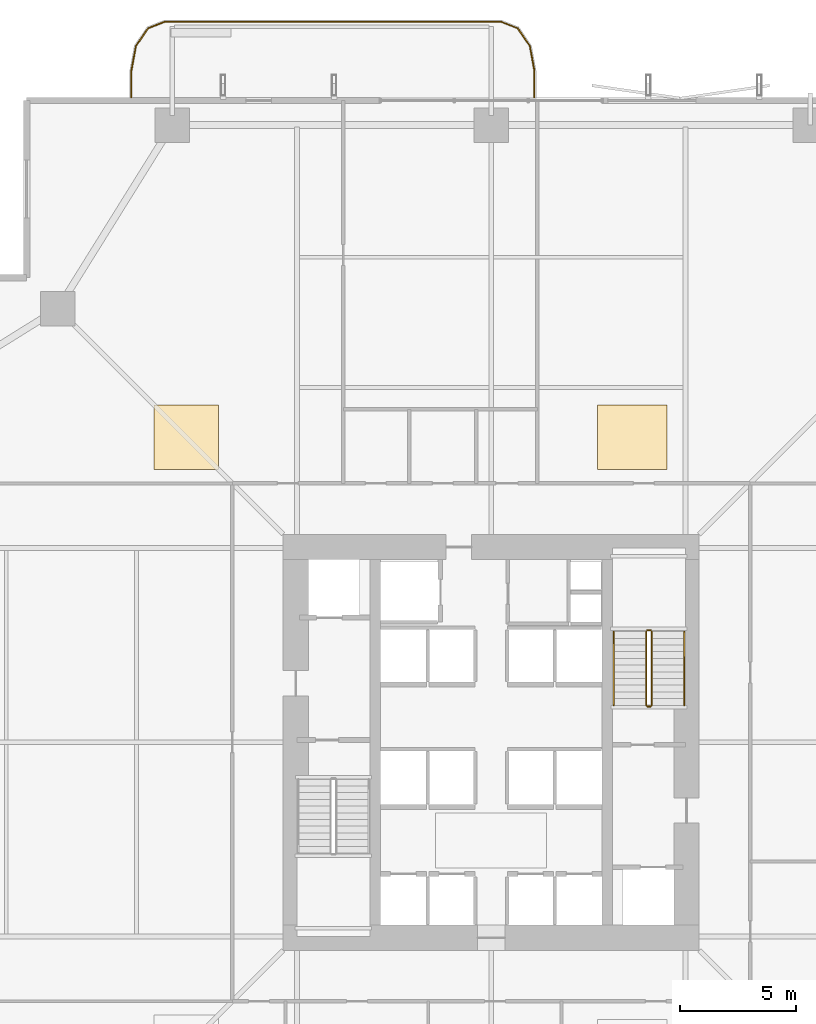
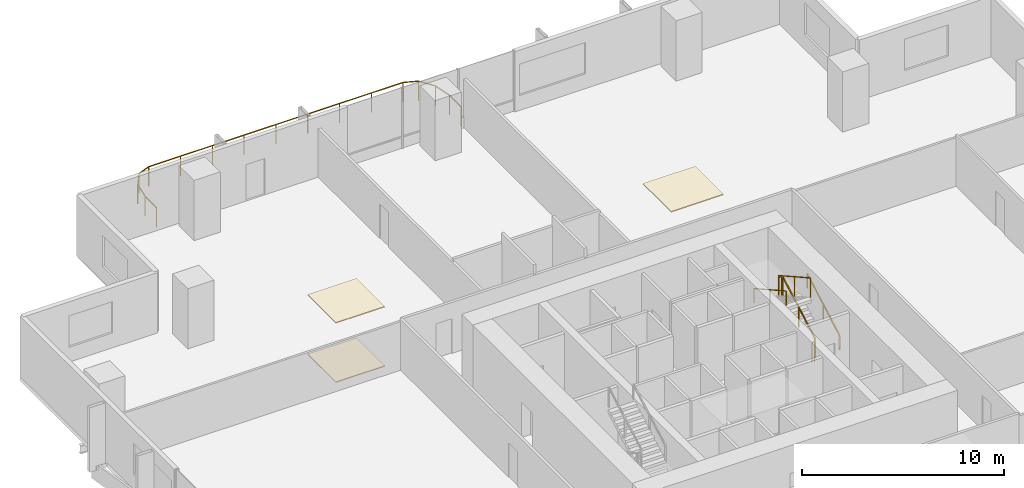
# One storey, part 23 of 24: 7 railings, 3 coverings.
"""IFC4 building model written with IfcOpenShell, lengths in metres."""

from ifc_helpers import new_model, si_unit, direction, frame, origin, origin_2d, place, context, subcontext, project, spatial, polyline, rectangle, outline, extrude, material, layer, layer_set, type_object, element, save


model = new_model("IFC4")

# Units and contexts
model_context = context("Model", 3, precision=1e-05, world=origin(), true_north=direction((0.0, 1.0)))
body_context = subcontext(model_context, "Body", "Model", "MODEL_VIEW")
ifc_project = project(units=[si_unit("LENGTHUNIT", "METRE"), si_unit("AREAUNIT", "SQUARE_METRE"), si_unit("VOLUMEUNIT", "CUBIC_METRE"), si_unit("PLANEANGLEUNIT", "RADIAN"), si_unit("MASSUNIT", "GRAM", prefix="KILO")], contexts=[model_context])

# Site, building, storey
site_placement = place(None, origin())
site = spatial("IfcSite", under=ifc_project, at=site_placement, CompositionType="ELEMENT")
building_placement = place(site_placement, origin())
building = spatial("IfcBuilding", under=site, at=building_placement, Name="Belovzor Exchange Tower", CompositionType="ELEMENT")
storey_placement = place(building_placement, frame((0.0, 0.0, 96.300048828125)))
storey = spatial("IfcBuildingStorey", under=building, at=storey_placement, Name="L23", CompositionType="ELEMENT", Elevation=96.300048828125)

# Railings
ifc_material_1 = material(Name="Stainless Steel Grade 304", Category="steel")
railing_type_1 = type_object("IfcRailingType", Name="Brushed Stainless Steel Stair Handrail 900", PredefinedType="HANDRAIL", material=ifc_material_1)
railing_1_placement = place(storey_placement, frame((37.14990234375, 30.39990234375, 0.162353515625)))
element("IfcRailing", 1, at=railing_1_placement, inside=storey, type_object=railing_type_1, Name="L23 ST-2 stair handrail 1", PredefinedType="HANDRAIL", context=body_context, shape_type="SweptSolid", body=[
    extrude(rectangle(XDim=0.048095703125, YDim=0.048095703125, at=origin_2d()), frame((0.0, 0.0, 0.8759765625), z_axis=(0.0, 0.87237847985, 0.488831042279), x_axis=(-1.0, 0.0, 0.0)), (0.0, 0.0, 1.0), 3.656982421875),
    extrude(rectangle(XDim=0.0419921875, YDim=0.0419921875, at=origin_2d()), origin(), (0.0, 0.0, 1.0), 0.851806640625),
    extrude(rectangle(XDim=0.0419921875, YDim=0.0419921875, at=origin_2d()), frame((0.0, 1.59521484375, 0.893798828125)), (0.0, 0.0, 1.0), 0.851806640625),
    extrude(rectangle(XDim=0.0419921875, YDim=0.0419921875, at=origin_2d()), frame((0.0, 3.190185546875, 1.78759765625)), (0.0, 0.0, 1.0), 0.851806640625),
])
railing_2_placement = place(storey_placement, frame((34.10009765625, 33.590087890625, 2.112548828125)))
element("IfcRailing", 2, at=railing_2_placement, inside=storey, type_object=railing_type_1, Name="L23 ST-2 stair handrail 2", PredefinedType="HANDRAIL", context=body_context, shape_type="SweptSolid", body=[
    extrude(rectangle(XDim=0.048095703125, YDim=0.048095703125, at=origin_2d()), frame((0.0, 0.0, 0.8759765625), z_axis=(0.0, -0.872406949647, 0.488780230991), x_axis=(1.0, 0.0, 0.0)), (0.0, 0.0, 1.0), 3.65673828125),
    extrude(rectangle(XDim=0.0419921875, YDim=0.0419921875, at=origin_2d()), origin(), (0.0, 0.0, 1.0), 0.851806640625),
    extrude(rectangle(XDim=0.0419921875, YDim=0.0419921875, at=origin_2d()), frame((0.0, -1.59521484375, 0.8935546875)), (0.0, 0.0, 1.0), 0.851806640625),
    extrude(rectangle(XDim=0.0419921875, YDim=0.0419921875, at=origin_2d()), frame((0.0, -3.190185546875, 1.787353515625)), (0.0, 0.0, 1.0), 0.851806640625),
])
ifc_material_2 = material(Name="Stainless Steel and Laminated Safety Glass", Category="steel")
railing_type_2 = type_object("IfcRailingType", Name="Laminated Glass & Stainless Steel Balcony Balustrade 1200", PredefinedType="BALUSTRADE", material=ifc_material_2)
railing_3_placement = place(storey_placement, frame((30.669921875, 56.7099609375, 0.0)))
element("IfcRailing", 3, at=railing_3_placement, inside=storey, type_object=railing_type_2, Name="GR-1 Balcony Balustrade L23 North", PredefinedType="BALUSTRADE", context=body_context, shape_type="SweptSolid", body=[
    extrude(rectangle(XDim=0.048095703125, YDim=0.048095703125, at=origin_2d()), frame((0.0, 0.0, 1.17578125), z_axis=(0.0, 1.0, 0.0), x_axis=(-1.0, 0.0, 0.0)), (0.0, 0.0, 1.0), 1.133056640625),
    extrude(rectangle(XDim=0.048095703125, YDim=0.048095703125, at=origin_2d()), frame((0.0, 1.133056640625, 1.17578125), z_axis=(-0.180122719713, 0.983644145941, 0.0), x_axis=(-0.983644145941, -0.180122719713, 0.0)), (0.0, 0.0, 1.0), 1.09375),
    extrude(rectangle(XDim=0.048095703125, YDim=0.048095703125, at=origin_2d()), frame((-0.197021484375, 2.208984375, 1.17578125), z_axis=(-0.562768145367, 0.826614792125, 0.0), x_axis=(-0.826614792125, -0.562768145367, 0.0)), (0.0, 0.0, 1.0), 0.9326171875),
    extrude(rectangle(XDim=0.048095703125, YDim=0.048095703125, at=origin_2d()), frame((-0.721923828125, 2.97998046875, 1.17578125), z_axis=(-0.930766990125, 0.365612923861, 0.0), x_axis=(-0.365612923861, -0.930766990125, 0.0)), (0.0, 0.0, 1.0), 0.765869140625),
    extrude(rectangle(XDim=0.048095703125, YDim=0.048095703125, at=origin_2d()), frame((-1.434814453125, 3.260009765625, 1.17578125), z_axis=(-1.0, 0.0, 0.0), x_axis=(0.0, -1.0, 0.0)), (0.0, 0.0, 1.0), 14.570068359375),
    extrude(rectangle(XDim=0.048095703125, YDim=0.048095703125, at=origin_2d()), frame((-16.0048828125, 3.260009765625, 1.17578125), z_axis=(-0.930809580156, -0.365504480807, 0.0), x_axis=(0.365504480807, -0.930809580156, 0.0)), (0.0, 0.0, 1.0), 0.76611328125),
    extrude(rectangle(XDim=0.048095703125, YDim=0.048095703125, at=origin_2d()), frame((-16.718017578125, 2.97998046875, 1.17578125), z_axis=(-0.562768145367, -0.826614792125, 0.0), x_axis=(0.826614792125, -0.562768145367, 0.0)), (0.0, 0.0, 1.0), 0.9326171875),
    extrude(rectangle(XDim=0.048095703125, YDim=0.048095703125, at=origin_2d()), frame((-17.242919921875, 2.208984375, 1.17578125), z_axis=(-0.180122719713, -0.983644145941, 0.0), x_axis=(0.983644145941, -0.180122719713, 0.0)), (0.0, 0.0, 1.0), 1.09375),
    extrude(rectangle(XDim=0.048095703125, YDim=0.048095703125, at=origin_2d()), frame((-17.43994140625, 1.133056640625, 1.17578125), z_axis=(0.0, -1.0, 0.0), x_axis=(1.0, 0.0, 0.0)), (0.0, 0.0, 1.0), 1.133056640625),
    extrude(rectangle(XDim=0.0419921875, YDim=0.0419921875, at=origin_2d()), origin(), (0.0, 0.0, 1.0), 1.15185546875),
    extrude(rectangle(XDim=0.0419921875, YDim=0.0419921875, at=origin_2d()), frame((0.0, 1.133056640625, 0.0)), (0.0, 0.0, 1.0), 1.15185546875),
    extrude(rectangle(XDim=0.0419921875, YDim=0.0419921875, at=origin_2d()), frame((-0.197021484375, 2.208984375, 0.0)), (0.0, 0.0, 1.0), 1.15185546875),
    extrude(rectangle(XDim=0.0419921875, YDim=0.0419921875, at=origin_2d()), frame((-0.721923828125, 2.97998046875, 0.0)), (0.0, 0.0, 1.0), 1.15185546875),
    extrude(rectangle(XDim=0.0419921875, YDim=0.0419921875, at=origin_2d()), frame((-1.434814453125, 3.260009765625, 0.0)), (0.0, 0.0, 1.0), 1.15185546875),
    extrude(rectangle(XDim=0.0419921875, YDim=0.0419921875, at=origin_2d()), frame((-3.256103515625, 3.260009765625, 0.0)), (0.0, 0.0, 1.0), 1.15185546875),
    extrude(rectangle(XDim=0.0419921875, YDim=0.0419921875, at=origin_2d()), frame((-5.077392578125, 3.260009765625, 0.0)), (0.0, 0.0, 1.0), 1.15185546875),
    extrude(rectangle(XDim=0.0419921875, YDim=0.0419921875, at=origin_2d()), frame((-6.898681640625, 3.260009765625, 0.0)), (0.0, 0.0, 1.0), 1.15185546875),
    extrude(rectangle(XDim=0.0419921875, YDim=0.0419921875, at=origin_2d()), frame((-8.7197265625, 3.260009765625, 0.0)), (0.0, 0.0, 1.0), 1.15185546875),
    extrude(rectangle(XDim=0.0419921875, YDim=0.0419921875, at=origin_2d()), frame((-10.541015625, 3.260009765625, 0.0)), (0.0, 0.0, 1.0), 1.15185546875),
    extrude(rectangle(XDim=0.0419921875, YDim=0.0419921875, at=origin_2d()), frame((-12.3623046875, 3.260009765625, 0.0)), (0.0, 0.0, 1.0), 1.15185546875),
    extrude(rectangle(XDim=0.0419921875, YDim=0.0419921875, at=origin_2d()), frame((-14.18359375, 3.260009765625, 0.0)), (0.0, 0.0, 1.0), 1.15185546875),
    extrude(rectangle(XDim=0.0419921875, YDim=0.0419921875, at=origin_2d()), frame((-16.0048828125, 3.260009765625, 0.0)), (0.0, 0.0, 1.0), 1.15185546875),
    extrude(rectangle(XDim=0.0419921875, YDim=0.0419921875, at=origin_2d()), frame((-16.718017578125, 2.97998046875, 0.0)), (0.0, 0.0, 1.0), 1.15185546875),
    extrude(rectangle(XDim=0.0419921875, YDim=0.0419921875, at=origin_2d()), frame((-17.242919921875, 2.208984375, 0.0)), (0.0, 0.0, 1.0), 1.15185546875),
    extrude(rectangle(XDim=0.0419921875, YDim=0.0419921875, at=origin_2d()), frame((-17.43994140625, 1.133056640625, 0.0)), (0.0, 0.0, 1.0), 1.15185546875),
    extrude(rectangle(XDim=0.0419921875, YDim=0.0419921875, at=origin_2d()), frame((-17.43994140625, 0.0, 0.0)), (0.0, 0.0, 1.0), 1.15185546875),
])
ifc_material_3 = material(Name="Steel S355", Category="steel")
railing_type_3 = type_object("IfcRailingType", Name="Painted Steel Stairwell Guardrail 1200", PredefinedType="GUARDRAIL", material=ifc_material_3)
railing_4_placement = place(storey_placement, frame((35.75, 30.39990234375, 0.162353515625)))
element("IfcRailing", 4, at=railing_4_placement, inside=storey, type_object=railing_type_3, Name="L23 ST-2 stair guard 1", PredefinedType="GUARDRAIL", context=body_context, shape_type="SweptSolid", body=[
    extrude(rectangle(XDim=0.048095703125, YDim=0.048095703125, at=origin_2d()), frame((0.0, 0.0, 1.17578125), z_axis=(0.0, 0.87237847985, 0.488831042279), x_axis=(-1.0, 0.0, 0.0)), (0.0, 0.0, 1.0), 3.656982421875),
    extrude(rectangle(XDim=0.0419921875, YDim=0.0419921875, at=origin_2d()), origin(), (0.0, 0.0, 1.0), 1.15185546875),
    extrude(rectangle(XDim=0.0419921875, YDim=0.0419921875, at=origin_2d()), frame((0.0, 1.59521484375, 0.893798828125)), (0.0, 0.0, 1.0), 1.15185546875),
    extrude(rectangle(XDim=0.0419921875, YDim=0.0419921875, at=origin_2d()), frame((0.0, 3.190185546875, 1.78759765625)), (0.0, 0.0, 1.0), 1.15185546875),
])
railing_5_placement = place(storey_placement, frame((35.699951171875, 33.639892578125, 1.949951171875)))
element("IfcRailing", 5, at=railing_5_placement, inside=storey, type_object=railing_type_3, Name="L23 ST-2 stair guard 2", PredefinedType="GUARDRAIL", context=body_context, shape_type="SweptSolid", body=[
    extrude(rectangle(XDim=0.048095703125, YDim=0.048095703125, at=origin_2d()), frame((0.0, 0.0, 1.17578125), z_axis=(-1.0, 0.0, 0.0), x_axis=(0.0, -1.0, 0.0)), (0.0, 0.0, 1.0), 0.14990234375),
    extrude(rectangle(XDim=0.0419921875, YDim=0.0419921875, at=origin_2d()), origin(), (0.0, 0.0, 1.0), 1.15185546875),
    extrude(rectangle(XDim=0.0419921875, YDim=0.0419921875, at=origin_2d()), frame((-0.14990234375, 0.0, 0.0)), (0.0, 0.0, 1.0), 1.15185546875),
])
railing_6_placement = place(storey_placement, frame((35.5, 33.590087890625, 2.112548828125)))
element("IfcRailing", 6, at=railing_6_placement, inside=storey, type_object=railing_type_3, Name="L23 ST-2 stair guard 3", PredefinedType="GUARDRAIL", context=body_context, shape_type="SweptSolid", body=[
    extrude(rectangle(XDim=0.048095703125, YDim=0.048095703125, at=origin_2d()), frame((0.0, 0.0, 1.17578125), z_axis=(0.0, -0.872406949647, 0.488780230991), x_axis=(1.0, 0.0, 0.0)), (0.0, 0.0, 1.0), 3.65673828125),
    extrude(rectangle(XDim=0.0419921875, YDim=0.0419921875, at=origin_2d()), origin(), (0.0, 0.0, 1.0), 1.15185546875),
    extrude(rectangle(XDim=0.0419921875, YDim=0.0419921875, at=origin_2d()), frame((0.0, -1.59521484375, 0.8935546875)), (0.0, 0.0, 1.0), 1.15185546875),
    extrude(rectangle(XDim=0.0419921875, YDim=0.0419921875, at=origin_2d()), frame((0.0, -3.190185546875, 1.787353515625)), (0.0, 0.0, 1.0), 1.15185546875),
])
railing_7_placement = place(storey_placement, frame((35.699951171875, 30.35009765625, 0.0)))
element("IfcRailing", 7, at=railing_7_placement, inside=storey, type_object=railing_type_3, Name="L23 ST-2 stair guard 4", PredefinedType="GUARDRAIL", context=body_context, shape_type="SweptSolid", body=[
    extrude(rectangle(XDim=0.048095703125, YDim=0.048095703125, at=origin_2d()), frame((0.0, 0.0, 1.17578125), z_axis=(-1.0, 0.0, 0.0), x_axis=(0.0, -1.0, 0.0)), (0.0, 0.0, 1.0), 0.14990234375),
    extrude(rectangle(XDim=0.0419921875, YDim=0.0419921875, at=origin_2d()), origin(), (0.0, 0.0, 1.0), 1.15185546875),
    extrude(rectangle(XDim=0.0419921875, YDim=0.0419921875, at=origin_2d()), frame((-0.14990234375, 0.0, 0.0)), (0.0, 0.0, 1.0), 1.15185546875),
])

# Coverings
ifc_material_4 = material(Name="Perforated Powder-Coated Aluminium", Category="aluminium")
ifc_layer_1 = layer(ifc_material_4, 0.06005859375)
ifc_layer_set_1 = layer_set([ifc_layer_1], Name="Perforated Powder-Coated Aluminium")
covering_type_1 = type_object("IfcCoveringType", Name="Perforated Acoustic Metal Tile Suspended Ceiling 60", PredefinedType="CEILING", material=ifc_layer_set_1)
covering_1_placement = place(storey_placement, frame((0.0, 0.0, 3.58984375)))
element("IfcCovering", 8, at=covering_1_placement, inside=storey, type_object=covering_type_1, Name="CLG-AC60 Suspended Ceiling CLG-L23-Z2", PredefinedType="CEILING", context=body_context, shape_type="SweptSolid", body=[
    extrude(outline(polyline([(33.39990234375, 40.60009765625), (36.39990234375, 40.60009765625), (36.39990234375, 43.39990234375), (33.39990234375, 43.39990234375), (33.39990234375, 40.60009765625)])), origin(), (0.0, 0.0, 1.0), 0.06005859375),
])
covering_2_placement = place(storey_placement, frame((0.0, 0.0, 3.58984375)))
element("IfcCovering", 9, at=covering_2_placement, inside=storey, type_object=covering_type_1, Name="CLG-AC60 Suspended Ceiling CLG-L23-Z3", PredefinedType="CEILING", context=body_context, shape_type="SweptSolid", body=[
    extrude(outline(polyline([(14.199951171875, 40.60009765625), (17.0, 40.60009765625), (17.0, 43.39990234375), (14.199951171875, 43.39990234375), (14.199951171875, 40.60009765625)])), origin(), (0.0, 0.0, 1.0), 0.06005859375),
])
ifc_material_5 = material(Name="Polished Natural Granite Tile", Category="masonry")
ifc_layer_2 = layer(ifc_material_5, 0.050048828125)
ifc_layer_set_2 = layer_set([ifc_layer_2], Name="Polished Natural Granite Tile")
covering_type_2 = type_object("IfcCoveringType", Name="Polished Karelian Granite & Raised Access Floor Finish 50", PredefinedType="FLOORING", material=ifc_layer_set_2)
covering_3_placement = place(storey_placement, origin())
element("IfcCovering", 10, at=covering_3_placement, inside=storey, type_object=covering_type_2, Name="FLR-GR50 Floor Finish FLR-L23-Z3", PredefinedType="FLOORING", context=body_context, shape_type="SweptSolid", body=[
    extrude(outline(polyline([(14.199951171875, 40.60009765625), (17.0, 40.60009765625), (17.0, 43.39990234375), (14.199951171875, 43.39990234375), (14.199951171875, 40.60009765625)])), origin(), (0.0, 0.0, 1.0), 0.050048828125),
])

save(model, "model.ifc")
